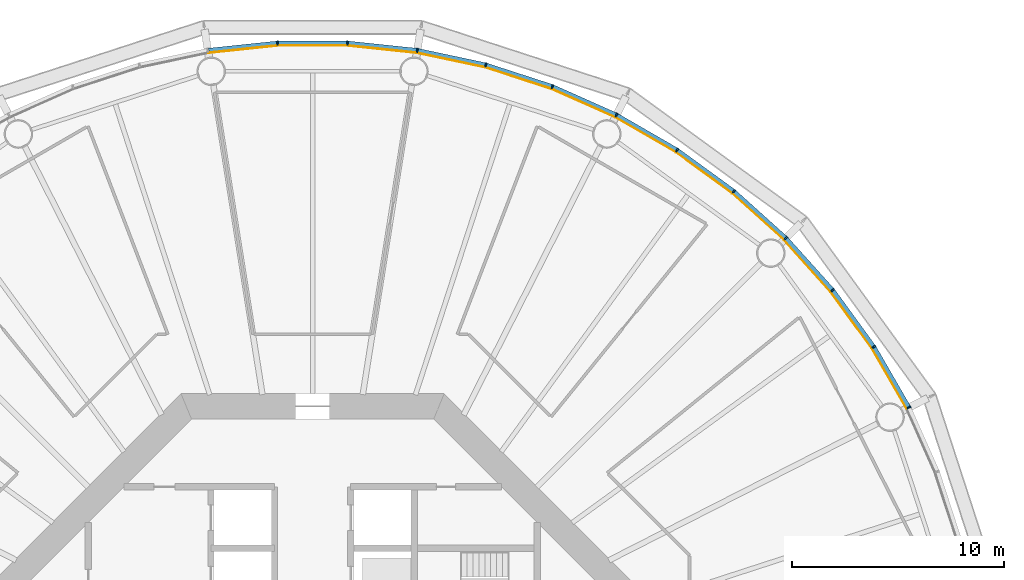
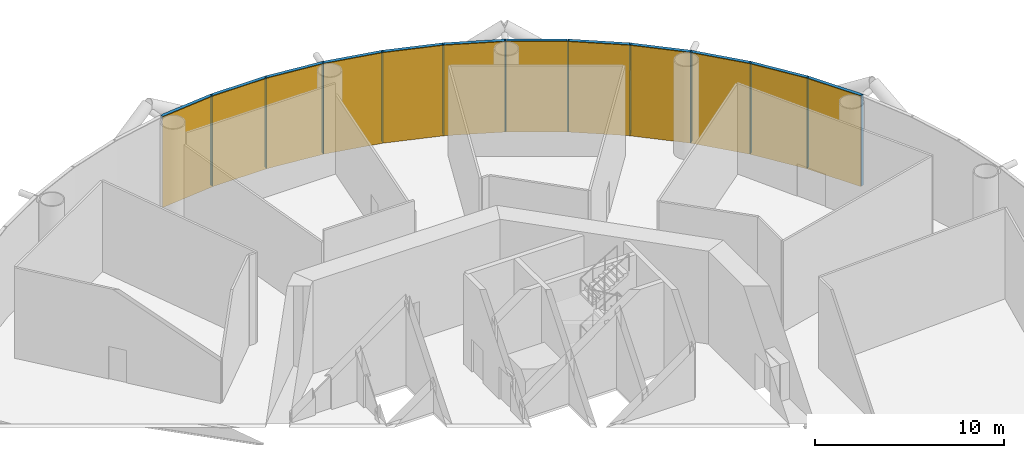
# One storey, part 12 of 14: 24 members, 4 curtain walls.
"""IFC4 building model written with IfcOpenShell, lengths in metres."""

import ifcopenshell
import ifcopenshell.guid

model = None  # the IFC model being written
_history = None  # IfcOwnerHistory: only IFC2X3 demands one
_inside = {}  # id of a spatial element -> (the spatial element, [elements in it])
_under = {}  # id of a project, library or spatial element -> (it, [spatial elements below it])
_declared = {}  # id of a project -> (the project, [libraries it declares])
_typed = {}  # id of a type object -> (the type object, [elements of that type])
_made_of = {}  # id of a material, layer set ... -> (it, [elements and type objects made of it])


def new_model(schema):
    """Start an empty IFC model of exactly this schema.

    Asked for "IFC4X3", IfcOpenShell would pick the latest addendum, in which some entities
    have other attributes; the version numbers below select the first issue.
    IFC2X3 requires an IfcOwnerHistory on every rooted entity: one is made here for all.
    """
    global model, _history
    if schema == "IFC4X3":
        model = ifcopenshell.file(schema_version=(4, 3, 0, 0))
    else:
        model = ifcopenshell.file(schema=schema)
    _inside.clear()
    _under.clear()
    _declared.clear()
    _typed.clear()
    _made_of.clear()
    _history = None
    if model.schema == "IFC2X3":
        org = make("IfcOrganization", Name="unknown")
        user = make(
            "IfcPersonAndOrganization",
            ThePerson=make("IfcPerson", FamilyName="unknown"),
            TheOrganization=org,
        )
        app = make(
            "IfcApplication",
            ApplicationDeveloper=org,
            Version="unknown",
            ApplicationFullName="unknown",
            ApplicationIdentifier="unknown",
        )
        _history = make(
            "IfcOwnerHistory",
            OwningUser=user,
            OwningApplication=app,
            ChangeAction="ADDED",
            CreationDate=0,
        )
    return model


def make(cls, **values):
    """One entity of the class cls with the attributes given. An attribute that is None is left unset."""
    return model.create_entity(
        cls, **{name: value for name, value in values.items() if value is not None}
    )


def rooted(cls, **values):
    """An entity with a GlobalId (a new one), such as an element, a storey or a relation."""
    return make(cls, GlobalId=ifcopenshell.guid.new(), OwnerHistory=_history, **values)


def si_unit(unit_type, name, prefix=None):
    """IfcSIUnit, for example si_unit("LENGTHUNIT", "METRE", prefix="MILLI")."""
    return make("IfcSIUnit", UnitType=unit_type, Prefix=prefix, Name=name)


def assignment(units):
    """IfcUnitAssignment: the units of a project."""
    return None if units is None else make("IfcUnitAssignment", Units=units)


def point(xyz):
    """IfcCartesianPoint."""
    return None if xyz is None else make("IfcCartesianPoint", Coordinates=xyz)


def direction(xyz):
    """IfcDirection."""
    return None if xyz is None else make("IfcDirection", DirectionRatios=xyz)


def frame(location, z_axis=None, x_axis=None):
    """IfcAxis2Placement3D, a coordinate frame: its origin and axes. An axis left out is left unset."""
    return make(
        "IfcAxis2Placement3D",
        Location=point(location),
        Axis=direction(z_axis),
        RefDirection=direction(x_axis),
    )


def frame_2d(location, x_axis=None):
    """IfcAxis2Placement2D, a coordinate frame in the plane: its origin and x axis."""
    return make(
        "IfcAxis2Placement2D", Location=point(location), RefDirection=direction(x_axis)
    )


def origin():
    """The frame at (0, 0, 0) with its axes left unset."""
    return frame((0.0, 0.0, 0.0))


def origin_2d():
    """The frame at (0, 0) in the plane with its x axis left unset."""
    return frame_2d((0.0, 0.0))


def place(relative_to, where):
    """IfcLocalPlacement: puts the frame where relative to a parent placement (None: the world)."""
    return make(
        "IfcLocalPlacement", PlacementRelTo=relative_to, RelativePlacement=where
    )


def context(
    kind, dimensions, precision=None, world=None, true_north=None, identifier=None
):
    """IfcGeometricRepresentationContext, for example the 3D "Model" context."""
    return make(
        "IfcGeometricRepresentationContext",
        ContextIdentifier=identifier,
        ContextType=kind,
        CoordinateSpaceDimension=dimensions,
        Precision=precision,
        WorldCoordinateSystem=world,
        TrueNorth=true_north,
    )


def subcontext(parent, identifier, kind, view, scale=None):
    """IfcGeometricRepresentationSubContext, for example "Body" below "Model"."""
    return make(
        "IfcGeometricRepresentationSubContext",
        ContextIdentifier=identifier,
        ContextType=kind,
        ParentContext=parent,
        TargetScale=scale,
        TargetView=view,
    )


def project(units=None, contexts=None):
    """IfcProject with its units and contexts."""
    return rooted(
        "IfcProject",
        Name="project",
        RepresentationContexts=contexts,
        UnitsInContext=assignment(units),
    )


def spatial(cls, under=None, at=None, **own):
    """A site, building, storey or space (cls), placed at a placement, below another one or the project."""
    s = rooted(cls, ObjectPlacement=at, **own)
    if under is not None:
        _under.setdefault(under.id(), (under, []))[1].append(s)
    return s


def polyline(points):
    """IfcPolyline through the points."""
    return make("IfcPolyline", Points=[point(p) for p in points])


def profile(cls, at=None, kind="AREA", **sizes):
    """A parametric profile (cls). Its sizes go by their IFC names, for example OverallWidth=200.0."""
    return make(cls, ProfileType=kind, Position=at, **sizes)


def rectangle(**sizes):
    """IfcRectangleProfileDef."""
    return profile("IfcRectangleProfileDef", **sizes)


def outline(outer, holes=None, kind="AREA"):
    """IfcArbitraryClosedProfileDef: a profile drawn as a closed curve; with holes, ...WithVoids."""
    if holes is None:
        return make("IfcArbitraryClosedProfileDef", ProfileType=kind, OuterCurve=outer)
    return make(
        "IfcArbitraryProfileDefWithVoids",
        ProfileType=kind,
        OuterCurve=outer,
        InnerCurves=holes,
    )


def extrude(swept, where, along, depth):
    """IfcExtrudedAreaSolid: the profile swept, set in the frame where, extruded along a direction by depth."""
    return make(
        "IfcExtrudedAreaSolid",
        SweptArea=swept,
        Position=where,
        ExtrudedDirection=direction(along),
        Depth=depth,
    )


def shape(context_of_items, identifier, shape_type, items):
    """IfcShapeRepresentation: the items that make up one representation, for example the "Body"."""
    return make(
        "IfcShapeRepresentation",
        ContextOfItems=context_of_items,
        RepresentationIdentifier=identifier,
        RepresentationType=shape_type,
        Items=items,
    )


def material(Name=None, Category=None):
    """IfcMaterial."""
    return make("IfcMaterial", Name=Name, Category=Category)


def layer(
    of_material, thickness, ventilated=None, Name=None, Category=None, Priority=None
):
    """IfcMaterialLayer: one layer of a wall or slab, of a material (None: an air gap)."""
    return make(
        "IfcMaterialLayer",
        Material=of_material,
        LayerThickness=thickness,
        IsVentilated=ventilated,
        Name=Name,
        Category=Category,
        Priority=Priority,
    )


def layer_set(layers, Name=None):
    """IfcMaterialLayerSet."""
    return make("IfcMaterialLayerSet", MaterialLayers=layers, LayerSetName=Name)


def material_profile(
    of_material, cross_section, Name=None, Category=None, Priority=None
):
    """IfcMaterialProfile: a cross section and its material."""
    return make(
        "IfcMaterialProfile",
        Name=Name,
        Material=of_material,
        Profile=cross_section,
        Priority=Priority,
        Category=Category,
    )


def profile_set(profiles, Name=None, composite=None):
    """IfcMaterialProfileSet."""
    return make(
        "IfcMaterialProfileSet",
        Name=Name,
        MaterialProfiles=profiles,
        CompositeProfile=composite,
    )


def made_of(thing, what):
    """Note that an element or type object is made of a material, layer set ...; save() writes the relation."""
    if what is not None:
        _made_of.setdefault(what.id(), (what, []))[1].append(thing)
    return thing


def type_object(cls, material=None, **own):
    """A type object (cls), such as IfcWallType, which elements share."""
    return made_of(rooted(cls, **own), material)


def element(
    cls,
    number,
    at=None,
    inside=None,
    cuts=None,
    type_object=None,
    material=None,
    context=None,
    identifier="Body",
    shape_type=None,
    held_by="IfcProductDefinitionShape",
    body=None,
    shapes=None,
    **own,
):
    """One element of the class cls, such as IfcWall. Its Tag is "e" and its number.

    at: its placement. inside: the storey or other place that contains it. cuts: it is an
    opening in that element (IfcRelVoidsElement). A single representation is given by context,
    identifier, shape_type and body (its items); several are given by shapes. held_by: the class
    of the entity that holds the representations. save() writes the other relations.
    """
    e = rooted(cls, Tag="e%d" % number, ObjectPlacement=at, **own)
    if body is not None:
        shapes = [shape(context, identifier, shape_type, body)]
    if shapes is not None:
        e.Representation = make(held_by, Representations=shapes)
    if inside is not None:
        _inside.setdefault(inside.id(), (inside, []))[1].append(e)
    if cuts is not None:
        rooted(
            "IfcRelVoidsElement", RelatingBuildingElement=cuts, RelatedOpeningElement=e
        )
    if type_object is not None:
        _typed.setdefault(type_object.id(), (type_object, []))[1].append(e)
    return made_of(e, material)


def aggregate(whole, parts):
    """IfcRelAggregates: a whole, such as a stair, and the parts it consists of."""
    return rooted("IfcRelAggregates", RelatingObject=whole, RelatedObjects=parts)


def save(model, path):
    """Write the relations noted so far, then the file.

    IfcRelAggregates (storeys below a building ...), IfcRelContainedInSpatialStructure (elements
    in a storey), IfcRelDefinesByType, IfcRelAssociatesMaterial and IfcRelDeclares: one each for
    every whole, place, type object, material and project.
    """
    for whole, parts in _under.values():
        aggregate(whole, parts)
    for where, things in _inside.values():
        rooted(
            "IfcRelContainedInSpatialStructure",
            RelatedElements=things,
            RelatingStructure=where,
        )
    for kind, things in _typed.values():
        rooted("IfcRelDefinesByType", RelatedObjects=things, RelatingType=kind)
    for what, things in _made_of.values():
        rooted("IfcRelAssociatesMaterial", RelatedObjects=things, RelatingMaterial=what)
    for by, libraries in _declared.values():
        rooted("IfcRelDeclares", RelatingContext=by, RelatedDefinitions=libraries)
    model.write(path)


model = new_model("IFC4")

# Units and contexts
model_context = context("Model", 3, precision=1e-05, world=origin(), true_north=direction((0.0, 1.0)))
body_context = subcontext(model_context, "Body", "Model", "MODEL_VIEW")
ifc_project = project(units=[si_unit("LENGTHUNIT", "METRE"), si_unit("AREAUNIT", "SQUARE_METRE"), si_unit("VOLUMEUNIT", "CUBIC_METRE"), si_unit("PLANEANGLEUNIT", "RADIAN"), si_unit("MASSUNIT", "GRAM", prefix="KILO")], contexts=[model_context])

# Member
ifc_material_1 = material(Name="Anodised aluminium", Category="aluminium")
ifc_material_profile_1 = material_profile(ifc_material_1, rectangle(XDim=0.070068359375, YDim=0.199951171875, at=origin_2d()), Name="Mullion 70 x 200 mm anodised aluminium")
ifc_profile_set_1 = profile_set([ifc_material_profile_1], Name="Anodised aluminium")
member_type_1 = type_object("IfcMemberType", Name="Mullion 70 x 200 mm anodised aluminium", PredefinedType="MULLION", material=ifc_profile_set_1)
site_placement = place(None, origin())
building_placement = place(site_placement, origin())
storey_placement = place(building_placement, frame((0.0, 0.0, 132.0)))
member_1_placement = place(storey_placement, frame((118.15576171875, 94.34619140625, 0.0), z_axis=(0.0, 0.0, 1.0), x_axis=(-0.45399049974, 0.891006524188, 0.0)))
member_1 = element("IfcMember", 1, at=member_1_placement, type_object=member_type_1, Name="MULLION L30-03", PredefinedType="MULLION", context=body_context, shape_type="SweptSolid", body=[
    extrude(rectangle(XDim=0.070068359375, YDim=0.199951171875, at=origin_2d()), origin(), (0.0, 0.0, 1.0), 5.85009765625),
])

member_2_placement = place(storey_placement, frame((116.501953125, 97.210693359375, 0.0), z_axis=(0.0, 0.0, 1.0), x_axis=(-0.544639035015, 0.838670567945, 0.0)))
member_2 = element("IfcMember", 2, at=member_2_placement, type_object=member_type_1, Name="MULLION L30-04", PredefinedType="MULLION", context=body_context, shape_type="SweptSolid", body=[
    extrude(rectangle(XDim=0.070068359375, YDim=0.199951171875, at=origin_2d()), origin(), (0.0, 0.0, 1.0), 5.85009765625),
])

member_3_placement = place(storey_placement, frame((114.557861328125, 99.886474609375, 0.0), z_axis=(0.0, 0.0, 1.0), x_axis=(-0.62932039105, 0.777145961457, 0.0)))
member_3 = element("IfcMember", 3, at=member_3_placement, type_object=member_type_1, Name="MULLION L30-05", PredefinedType="MULLION", context=body_context, shape_type="SweptSolid", body=[
    extrude(rectangle(XDim=0.070068359375, YDim=0.199951171875, at=origin_2d()), origin(), (0.0, 0.0, 1.0), 5.85009765625),
])

member_4_placement = place(storey_placement, frame((112.344482421875, 102.344482421875, 0.0), z_axis=(0.0, 0.0, 1.0), x_axis=(-0.707106781187, 0.707106781187, 0.0)))
member_4 = element("IfcMember", 4, at=member_4_placement, type_object=member_type_1, Name="MULLION L30-06", PredefinedType="MULLION", context=body_context, shape_type="SweptSolid", body=[
    extrude(rectangle(XDim=0.070068359375, YDim=0.199951171875, at=origin_2d()), origin(), (0.0, 0.0, 1.0), 5.85009765625),
])

member_5_placement = place(storey_placement, frame((109.886474609375, 104.557861328125, 0.0), z_axis=(0.0, 0.0, 1.0), x_axis=(-0.777145961457, 0.62932039105, 0.0)))
member_5 = element("IfcMember", 5, at=member_5_placement, type_object=member_type_1, Name="MULLION L30-07", PredefinedType="MULLION", context=body_context, shape_type="SweptSolid", body=[
    extrude(rectangle(XDim=0.070068359375, YDim=0.199951171875, at=origin_2d()), origin(), (0.0, 0.0, 1.0), 5.85009765625),
])

member_6_placement = place(storey_placement, frame((107.210693359375, 106.501953125, 0.0), z_axis=(0.0, 0.0, 1.0), x_axis=(-0.838670567945, 0.544639035015, 0.0)))
member_6 = element("IfcMember", 6, at=member_6_placement, type_object=member_type_1, Name="MULLION L30-08", PredefinedType="MULLION", context=body_context, shape_type="SweptSolid", body=[
    extrude(rectangle(XDim=0.070068359375, YDim=0.199951171875, at=origin_2d()), origin(), (0.0, 0.0, 1.0), 5.85009765625),
])

member_7_placement = place(storey_placement, frame((104.34619140625, 108.15576171875, 0.0), z_axis=(0.0, 0.0, 1.0), x_axis=(-0.891006524188, 0.45399049974, 0.0)))
member_7 = element("IfcMember", 7, at=member_7_placement, type_object=member_type_1, Name="MULLION L30-09", PredefinedType="MULLION", context=body_context, shape_type="SweptSolid", body=[
    extrude(rectangle(XDim=0.070068359375, YDim=0.199951171875, at=origin_2d()), origin(), (0.0, 0.0, 1.0), 5.85009765625),
])

member_8_placement = place(storey_placement, frame((101.324462890625, 109.501220703125, 0.0), z_axis=(0.0, 0.0, 1.0), x_axis=(-0.933580426497, 0.358367949545, 0.0)))
member_8 = element("IfcMember", 8, at=member_8_placement, type_object=member_type_1, Name="MULLION L30-10", PredefinedType="MULLION", context=body_context, shape_type="SweptSolid", body=[
    extrude(rectangle(XDim=0.070068359375, YDim=0.199951171875, at=origin_2d()), origin(), (0.0, 0.0, 1.0), 5.85009765625),
])

member_9_placement = place(storey_placement, frame((98.1787109375, 110.523193359375, 0.0), z_axis=(0.0, 0.0, 1.0), x_axis=(-0.965925826289, 0.258819045103, 0.0)))
member_9 = element("IfcMember", 9, at=member_9_placement, type_object=member_type_1, Name="MULLION L30-11", PredefinedType="MULLION", context=body_context, shape_type="SweptSolid", body=[
    extrude(rectangle(XDim=0.070068359375, YDim=0.199951171875, at=origin_2d()), origin(), (0.0, 0.0, 1.0), 5.85009765625),
])

member_10_placement = place(storey_placement, frame((94.943359375, 111.2109375, 0.0), z_axis=(0.0, 0.0, 1.0), x_axis=(-0.987688340595, 0.15643446504, 0.0)))
member_10 = element("IfcMember", 10, at=member_10_placement, type_object=member_type_1, Name="MULLION L30-12", PredefinedType="MULLION", context=body_context, shape_type="SweptSolid", body=[
    extrude(rectangle(XDim=0.070068359375, YDim=0.199951171875, at=origin_2d()), origin(), (0.0, 0.0, 1.0), 5.85009765625),
])

member_11_placement = place(storey_placement, frame((91.65380859375, 111.556640625, 0.0), z_axis=(0.0, 0.0, 1.0), x_axis=(-0.998629534755, 0.052335956243, 0.0)))
member_11 = element("IfcMember", 11, at=member_11_placement, type_object=member_type_1, Name="MULLION L30-13", PredefinedType="MULLION", context=body_context, shape_type="SweptSolid", body=[
    extrude(rectangle(XDim=0.070068359375, YDim=0.199951171875, at=origin_2d()), origin(), (0.0, 0.0, 1.0), 5.85009765625),
])

member_12_placement = place(storey_placement, frame((88.34619140625, 111.556640625, 0.0), z_axis=(0.0, 0.0, 1.0), x_axis=(-0.998629534755, -0.052335956243, 0.0)))
member_12 = element("IfcMember", 12, at=member_12_placement, type_object=member_type_1, Name="MULLION L30-14", PredefinedType="MULLION", context=body_context, shape_type="SweptSolid", body=[
    extrude(rectangle(XDim=0.070068359375, YDim=0.199951171875, at=origin_2d()), origin(), (0.0, 0.0, 1.0), 5.85009765625),
])

ifc_material_2 = material(Name="Anodised aluminium", Category="aluminium")
ifc_material_profile_2 = material_profile(ifc_material_2, rectangle(XDim=0.199951171875, YDim=0.18994140625, at=origin_2d()), Name="Transom 190 x 200 mm anodised aluminium")
ifc_profile_set_2 = profile_set([ifc_material_profile_2], Name="Anodised aluminium")
member_type_2 = type_object("IfcMemberType", Name="Transom 190 x 200 mm anodised aluminium", PredefinedType="USERDEFINED", material=ifc_profile_set_2)
member_13_placement = place(storey_placement, frame((118.1357421875, 94.381103515625, 5.7548828125), z_axis=(-0.500004055213, 0.866023062494, 0.0), x_axis=(-0.866023062494, -0.500004055213, 0.0)))
member_13 = element("IfcMember", 13, at=member_13_placement, type_object=member_type_2, Name="TRANSOM L30-03", ObjectType="TRANSOM", PredefinedType="USERDEFINED", context=body_context, shape_type="SweptSolid", body=[
    extrude(rectangle(XDim=0.199951171875, YDim=0.18994140625, at=origin_2d()), origin(), (0.0, 0.0, 1.0), 3.22705078125),
])

member_14_placement = place(storey_placement, frame((116.478515625, 97.2431640625, 5.7548828125), z_axis=(-0.587802790201, 0.809004252048, 0.0), x_axis=(-0.809004252048, -0.587802790201, 0.0)))
member_14 = element("IfcMember", 14, at=member_14_placement, type_object=member_type_2, Name="TRANSOM L30-04", ObjectType="TRANSOM", PredefinedType="USERDEFINED", context=body_context, shape_type="SweptSolid", body=[
    extrude(rectangle(XDim=0.199951171875, YDim=0.18994140625, at=origin_2d()), origin(), (0.0, 0.0, 1.0), 3.227294921875),
])

member_15_placement = place(storey_placement, frame((114.531005859375, 99.91650390625, 5.7548828125), z_axis=(-0.669144438484, 0.743132370743, 0.0), x_axis=(-0.743132370743, -0.669144438484, 0.0)))
member_15 = element("IfcMember", 15, at=member_15_placement, type_object=member_type_2, Name="TRANSOM L30-05", ObjectType="TRANSOM", PredefinedType="USERDEFINED", context=body_context, shape_type="SweptSolid", body=[
    extrude(rectangle(XDim=0.199951171875, YDim=0.18994140625, at=origin_2d()), origin(), (0.0, 0.0, 1.0), 3.22705078125),
])

member_16_placement = place(storey_placement, frame((112.314697265625, 102.37158203125, 5.7548828125), z_axis=(-0.743132370743, 0.669144438484, 0.0), x_axis=(-0.669144438484, -0.743132370743, 0.0)))
member_16 = element("IfcMember", 16, at=member_16_placement, type_object=member_type_2, Name="TRANSOM L30-06", ObjectType="TRANSOM", PredefinedType="USERDEFINED", context=body_context, shape_type="SweptSolid", body=[
    extrude(rectangle(XDim=0.199951171875, YDim=0.18994140625, at=origin_2d()), origin(), (0.0, 0.0, 1.0), 3.22705078125),
])

member_17_placement = place(storey_placement, frame((109.85400390625, 104.58154296875, 5.7548828125), z_axis=(-0.809004252048, 0.587802790201, 0.0), x_axis=(-0.587802790201, -0.809004252048, 0.0)))
member_17 = element("IfcMember", 17, at=member_17_placement, type_object=member_type_2, Name="TRANSOM L30-07", ObjectType="TRANSOM", PredefinedType="USERDEFINED", context=body_context, shape_type="SweptSolid", body=[
    extrude(rectangle(XDim=0.199951171875, YDim=0.18994140625, at=origin_2d()), origin(), (0.0, 0.0, 1.0), 3.227294921875),
])

member_18_placement = place(storey_placement, frame((107.17578125, 106.522216796875, 5.7548828125), z_axis=(-0.866023062494, 0.500004055213, 0.0), x_axis=(-0.500004055213, -0.866023062494, 0.0)))
member_18 = element("IfcMember", 18, at=member_18_placement, type_object=member_type_2, Name="TRANSOM L30-08", ObjectType="TRANSOM", PredefinedType="USERDEFINED", context=body_context, shape_type="SweptSolid", body=[
    extrude(rectangle(XDim=0.199951171875, YDim=0.18994140625, at=origin_2d()), origin(), (0.0, 0.0, 1.0), 3.22705078125),
])

member_19_placement = place(storey_placement, frame((104.309326171875, 108.17236328125, 5.7548828125), z_axis=(-0.913549291349, 0.406728032322, 0.0), x_axis=(-0.406728032322, -0.913549291349, 0.0)))
member_19 = element("IfcMember", 19, at=member_19_placement, type_object=member_type_2, Name="TRANSOM L30-09", ObjectType="TRANSOM", PredefinedType="USERDEFINED", context=body_context, shape_type="SweptSolid", body=[
    extrude(rectangle(XDim=0.199951171875, YDim=0.18994140625, at=origin_2d()), origin(), (0.0, 0.0, 1.0), 3.22705078125),
])

member_20_placement = place(storey_placement, frame((101.2861328125, 109.513671875, 5.7548828125), z_axis=(-0.951046855117, 0.309046726844, 0.0), x_axis=(-0.309046726844, -0.951046855117, 0.0)))
member_20 = element("IfcMember", 20, at=member_20_placement, type_object=member_type_2, Name="TRANSOM L30-10", ObjectType="TRANSOM", PredefinedType="USERDEFINED", context=body_context, shape_type="SweptSolid", body=[
    extrude(rectangle(XDim=0.199951171875, YDim=0.18994140625, at=origin_2d()), origin(), (0.0, 0.0, 1.0), 3.22705078125),
])

member_21_placement = place(storey_placement, frame((98.139404296875, 110.53173828125, 5.7548828125), z_axis=(-0.978153082647, 0.207885898771, 0.0), x_axis=(-0.207885898771, -0.978153082647, 0.0)))
member_21 = element("IfcMember", 21, at=member_21_placement, type_object=member_type_2, Name="TRANSOM L30-11", ObjectType="TRANSOM", PredefinedType="USERDEFINED", context=body_context, shape_type="SweptSolid", body=[
    extrude(rectangle(XDim=0.199951171875, YDim=0.18994140625, at=origin_2d()), origin(), (0.0, 0.0, 1.0), 3.227294921875),
])

member_22_placement = place(storey_placement, frame((94.9033203125, 111.21533203125, 5.7548828125), z_axis=(-0.994519537956, 0.104550890115, 0.0), x_axis=(-0.104550890115, -0.994519537956, 0.0)))
member_22 = element("IfcMember", 22, at=member_22_placement, type_object=member_type_2, Name="TRANSOM L30-12", ObjectType="TRANSOM", PredefinedType="USERDEFINED", context=body_context, shape_type="SweptSolid", body=[
    extrude(rectangle(XDim=0.199951171875, YDim=0.18994140625, at=origin_2d()), origin(), (0.0, 0.0, 1.0), 3.22705078125),
])

member_23_placement = place(storey_placement, frame((91.613525390625, 111.556884765625, 5.7548828125), z_axis=(-1.0, 0.0, 0.0), x_axis=(0.0, -1.0, 0.0)))
member_23 = element("IfcMember", 23, at=member_23_placement, type_object=member_type_2, Name="TRANSOM L30-13", ObjectType="TRANSOM", PredefinedType="USERDEFINED", context=body_context, shape_type="SweptSolid", body=[
    extrude(rectangle(XDim=0.199951171875, YDim=0.18994140625, at=origin_2d()), origin(), (0.0, 0.0, 1.0), 3.22705078125),
])

member_24_placement = place(storey_placement, frame((88.30615234375, 111.552734375, 5.7548828125), z_axis=(-0.994519537956, -0.104550890115, 0.0), x_axis=(0.104550890115, -0.994519537956, 0.0)))
member_24 = element("IfcMember", 24, at=member_24_placement, type_object=member_type_2, Name="TRANSOM L30-14", ObjectType="TRANSOM", PredefinedType="USERDEFINED", context=body_context, shape_type="SweptSolid", body=[
    extrude(rectangle(XDim=0.199951171875, YDim=0.18994140625, at=origin_2d()), origin(), (0.0, 0.0, 1.0), 3.22705078125),
])

# Site, building, storey
site = spatial("IfcSite", under=ifc_project, at=site_placement, CompositionType="ELEMENT")
building = spatial("IfcBuilding", under=site, at=building_placement, Name="Entoto Ring Tower", CompositionType="ELEMENT")
storey = spatial("IfcBuildingStorey", under=building, at=storey_placement, Name="L30", CompositionType="ELEMENT", Elevation=132.0)

# Curtain wall
ifc_material_3 = material(Name="Clear low-iron glass", Category="glass")
ifc_layer = layer(ifc_material_3, 0.035888671875)
ifc_layer_set = layer_set([ifc_layer], Name="Clear low-iron glass")
curtain_wall_type = type_object("IfcCurtainWallType", Name="Curtain wall system CW2 glazing 36 mm", PredefinedType="NOTDEFINED", material=ifc_layer_set)
curtain_wall_1_placement = place(storey_placement, origin())
curtain_wall_1 = element("IfcCurtainWall", 25, at=curtain_wall_1_placement, inside=storey, type_object=curtain_wall_type, Name="CW2 L30-02", PredefinedType="NOTDEFINED", context=body_context, shape_type="SweptSolid", body=[
    extrude(outline(polyline([(118.066650390625, 94.30078125), (116.418212890625, 97.15625), (114.47998046875, 99.823486328125), (112.27392578125, 102.27392578125), (112.248291015625, 102.248291015625), (114.4521484375, 99.801025390625), (116.387939453125, 97.136474609375), (118.03466796875, 94.284423828125), (118.066650390625, 94.30078125)])), origin(), (0.0, 0.0, 1.0), 5.85009765625),
])

aggregate(curtain_wall_1, [member_1, member_2, member_3, member_13, member_14, member_15])

curtain_wall_2_placement = place(storey_placement, origin())
curtain_wall_2 = element("IfcCurtainWall", 26, at=curtain_wall_2_placement, inside=storey, type_object=curtain_wall_type, Name="CW2 L30-03", PredefinedType="NOTDEFINED", context=body_context, shape_type="SweptSolid", body=[
    extrude(outline(polyline([(112.27392578125, 102.27392578125), (109.823486328125, 104.47998046875), (107.15625, 106.418212890625), (104.30078125, 108.066650390625), (104.284423828125, 108.03466796875), (107.136474609375, 106.387939453125), (109.801025390625, 104.4521484375), (112.248291015625, 102.248291015625), (112.27392578125, 102.27392578125)])), origin(), (0.0, 0.0, 1.0), 5.85009765625),
])

aggregate(curtain_wall_2, [member_4, member_5, member_6, member_16, member_17, member_18])

curtain_wall_3_placement = place(storey_placement, origin())
curtain_wall_3 = element("IfcCurtainWall", 27, at=curtain_wall_3_placement, inside=storey, type_object=curtain_wall_type, Name="CW2 L30-04", PredefinedType="NOTDEFINED", context=body_context, shape_type="SweptSolid", body=[
    extrude(outline(polyline([(104.30078125, 108.066650390625), (101.28857421875, 109.40771484375), (98.15283203125, 110.4267578125), (94.927734375, 111.1123046875), (94.922119140625, 111.07666015625), (98.1435546875, 110.391845703125), (101.275634765625, 109.3740234375), (104.284423828125, 108.03466796875), (104.30078125, 108.066650390625)])), origin(), (0.0, 0.0, 1.0), 5.85009765625),
])

aggregate(curtain_wall_3, [member_7, member_8, member_9, member_19, member_20, member_21])

curtain_wall_4_placement = place(storey_placement, origin())
curtain_wall_4 = element("IfcCurtainWall", 28, at=curtain_wall_4_placement, inside=storey, type_object=curtain_wall_type, Name="CW2 L30-05", PredefinedType="NOTDEFINED", context=body_context, shape_type="SweptSolid", body=[
    extrude(outline(polyline([(94.927734375, 111.1123046875), (91.648681640625, 111.456787109375), (88.351318359375, 111.456787109375), (85.072265625, 111.1123046875), (85.077880859375, 111.07666015625), (88.353271484375, 111.4208984375), (91.646728515625, 111.4208984375), (94.922119140625, 111.07666015625), (94.927734375, 111.1123046875)])), origin(), (0.0, 0.0, 1.0), 5.85009765625),
])

aggregate(curtain_wall_4, [member_10, member_11, member_12, member_22, member_23, member_24])

save(model, "model.ifc")
